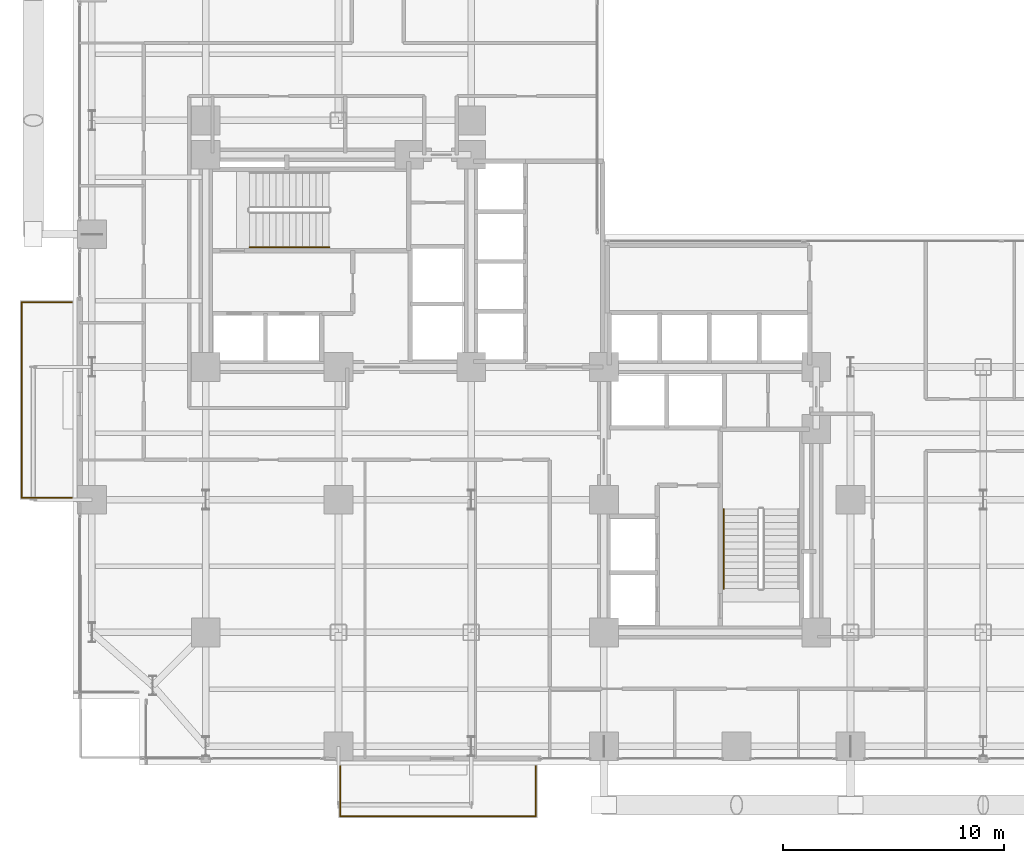
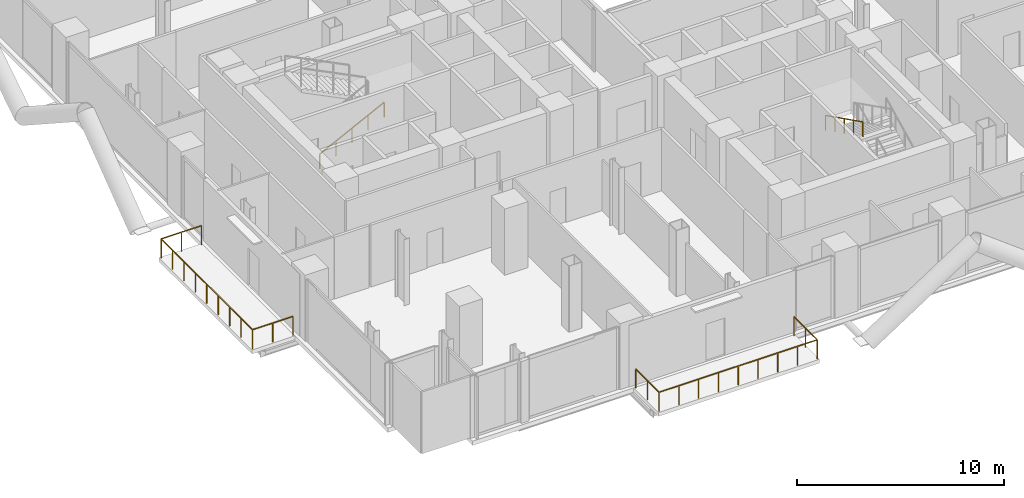
# One storey, part 24 of 25: 4 railings.
"""IFC4 building model written with IfcOpenShell, lengths in metres."""

from ifc_helpers import new_model, si_unit, direction, frame, origin, origin_2d, place, context, subcontext, project, spatial, rectangle, extrude, material, type_object, element, save


model = new_model("IFC4")

# Units and contexts
model_context = context("Model", 3, precision=1e-05, world=origin(), true_north=direction((0.0, 1.0)))
body_context = subcontext(model_context, "Body", "Model", "MODEL_VIEW")
ifc_project = project(units=[si_unit("LENGTHUNIT", "METRE"), si_unit("AREAUNIT", "SQUARE_METRE"), si_unit("VOLUMEUNIT", "CUBIC_METRE"), si_unit("PLANEANGLEUNIT", "RADIAN"), si_unit("MASSUNIT", "GRAM", prefix="KILO"), si_unit("THERMODYNAMICTEMPERATUREUNIT", "KELVIN"), si_unit("POWERUNIT", "WATT")], contexts=[model_context])

# Site, building, storey
site_placement = place(None, origin())
site = spatial("IfcSite", under=ifc_project, at=site_placement, CompositionType="ELEMENT")
building_placement = place(site_placement, origin())
building = spatial("IfcBuilding", under=site, at=building_placement, Name="Svarakhadi Broadcast Tower", CompositionType="ELEMENT")
storey_placement = place(building_placement, frame((0.0, 0.0, 36.300048828125)))
storey = spatial("IfcBuildingStorey", under=building, at=storey_placement, Name="L07", CompositionType="ELEMENT", Elevation=36.300048828125)

# Railings
ifc_material_1 = material(Name="Laminated Structural SentryGlas Balustrade 25.5 mm", Category="glass")
railing_type_1 = type_object("IfcRailingType", Name="Guard_Balcony_GR01", PredefinedType="BALUSTRADE", material=ifc_material_1)
railing_1_placement = place(storey_placement, frame((12.080078125, -0.06005859375, 0.0)))
element("IfcRailing", 1, at=railing_1_placement, inside=storey, type_object=railing_type_1, Name="L07 South Tree Balcony Guard GR-05", PredefinedType="BALUSTRADE", context=body_context, shape_type="SweptSolid", body=[
    extrude(rectangle(XDim=0.048095703125, YDim=0.048095703125, at=origin_2d()), frame((0.0, 0.0, 1.1259765625), z_axis=(0.0, -1.0, 0.0), x_axis=(1.0, 0.0, 0.0)), (0.0, 0.0, 1.0), 2.260009765625),
    extrude(rectangle(XDim=0.048095703125, YDim=0.048095703125, at=origin_2d()), frame((0.0, -2.260009765625, 1.1259765625), z_axis=(1.0, 0.0, 0.0), x_axis=(0.0, 1.0, 0.0)), (0.0, 0.0, 1.0), 8.83984375),
    extrude(rectangle(XDim=0.048095703125, YDim=0.048095703125, at=origin_2d()), frame((8.83984375, -2.260009765625, 1.1259765625), z_axis=(0.0, 1.0, 0.0), x_axis=(-1.0, 0.0, 0.0)), (0.0, 0.0, 1.0), 2.260009765625),
    extrude(rectangle(XDim=0.0419921875, YDim=0.0419921875, at=origin_2d()), origin(), (0.0, 0.0, 1.0), 1.101806640625),
    extrude(rectangle(XDim=0.0419921875, YDim=0.0419921875, at=origin_2d()), frame((0.0, -1.1298828125, 0.0)), (0.0, 0.0, 1.0), 1.101806640625),
    extrude(rectangle(XDim=0.0419921875, YDim=0.0419921875, at=origin_2d()), frame((0.0, -2.260009765625, 0.0)), (0.0, 0.0, 1.0), 1.101806640625),
    extrude(rectangle(XDim=0.0419921875, YDim=0.0419921875, at=origin_2d()), frame((1.10498046875, -2.260009765625, 0.0)), (0.0, 0.0, 1.0), 1.101806640625),
    extrude(rectangle(XDim=0.0419921875, YDim=0.0419921875, at=origin_2d()), frame((2.2099609375, -2.260009765625, 0.0)), (0.0, 0.0, 1.0), 1.101806640625),
    extrude(rectangle(XDim=0.0419921875, YDim=0.0419921875, at=origin_2d()), frame((3.31494140625, -2.260009765625, 0.0)), (0.0, 0.0, 1.0), 1.101806640625),
    extrude(rectangle(XDim=0.0419921875, YDim=0.0419921875, at=origin_2d()), frame((4.419921875, -2.260009765625, 0.0)), (0.0, 0.0, 1.0), 1.101806640625),
    extrude(rectangle(XDim=0.0419921875, YDim=0.0419921875, at=origin_2d()), frame((5.52490234375, -2.260009765625, 0.0)), (0.0, 0.0, 1.0), 1.101806640625),
    extrude(rectangle(XDim=0.0419921875, YDim=0.0419921875, at=origin_2d()), frame((6.6298828125, -2.260009765625, 0.0)), (0.0, 0.0, 1.0), 1.101806640625),
    extrude(rectangle(XDim=0.0419921875, YDim=0.0419921875, at=origin_2d()), frame((7.73486328125, -2.260009765625, 0.0)), (0.0, 0.0, 1.0), 1.101806640625),
    extrude(rectangle(XDim=0.0419921875, YDim=0.0419921875, at=origin_2d()), frame((8.83984375, -2.260009765625, 0.0)), (0.0, 0.0, 1.0), 1.101806640625),
    extrude(rectangle(XDim=0.0419921875, YDim=0.0419921875, at=origin_2d()), frame((8.83984375, -1.1298828125, 0.0)), (0.0, 0.0, 1.0), 1.101806640625),
    extrude(rectangle(XDim=0.0419921875, YDim=0.0419921875, at=origin_2d()), frame((8.83984375, 0.0, 0.0)), (0.0, 0.0, 1.0), 1.101806640625),
])
railing_2_placement = place(storey_placement, frame((-0.06005859375, 12.080078125, 0.0)))
element("IfcRailing", 2, at=railing_2_placement, inside=storey, type_object=railing_type_1, Name="L07 West Tree Balcony Guard GR-05", PredefinedType="BALUSTRADE", context=body_context, shape_type="SweptSolid", body=[
    extrude(rectangle(XDim=0.048095703125, YDim=0.048095703125, at=origin_2d()), frame((0.0, 0.0, 1.1259765625), z_axis=(-1.0, 0.0, 0.0), x_axis=(0.0, -1.0, 0.0)), (0.0, 0.0, 1.0), 2.260009765625),
    extrude(rectangle(XDim=0.048095703125, YDim=0.048095703125, at=origin_2d()), frame((-2.260009765625, 0.0, 1.1259765625), z_axis=(0.0, 1.0, 0.0), x_axis=(-1.0, 0.0, 0.0)), (0.0, 0.0, 1.0), 8.83984375),
    extrude(rectangle(XDim=0.048095703125, YDim=0.048095703125, at=origin_2d()), frame((-2.260009765625, 8.83984375, 1.1259765625), z_axis=(1.0, 0.0, 0.0), x_axis=(0.0, 1.0, 0.0)), (0.0, 0.0, 1.0), 2.260009765625),
    extrude(rectangle(XDim=0.0419921875, YDim=0.0419921875, at=origin_2d()), origin(), (0.0, 0.0, 1.0), 1.101806640625),
    extrude(rectangle(XDim=0.0419921875, YDim=0.0419921875, at=origin_2d()), frame((-1.1298828125, 0.0, 0.0)), (0.0, 0.0, 1.0), 1.101806640625),
    extrude(rectangle(XDim=0.0419921875, YDim=0.0419921875, at=origin_2d()), frame((-2.260009765625, 0.0, 0.0)), (0.0, 0.0, 1.0), 1.101806640625),
    extrude(rectangle(XDim=0.0419921875, YDim=0.0419921875, at=origin_2d()), frame((-2.260009765625, 1.10498046875, 0.0)), (0.0, 0.0, 1.0), 1.101806640625),
    extrude(rectangle(XDim=0.0419921875, YDim=0.0419921875, at=origin_2d()), frame((-2.260009765625, 2.2099609375, 0.0)), (0.0, 0.0, 1.0), 1.101806640625),
    extrude(rectangle(XDim=0.0419921875, YDim=0.0419921875, at=origin_2d()), frame((-2.260009765625, 3.31494140625, 0.0)), (0.0, 0.0, 1.0), 1.101806640625),
    extrude(rectangle(XDim=0.0419921875, YDim=0.0419921875, at=origin_2d()), frame((-2.260009765625, 4.419921875, 0.0)), (0.0, 0.0, 1.0), 1.101806640625),
    extrude(rectangle(XDim=0.0419921875, YDim=0.0419921875, at=origin_2d()), frame((-2.260009765625, 5.52490234375, 0.0)), (0.0, 0.0, 1.0), 1.101806640625),
    extrude(rectangle(XDim=0.0419921875, YDim=0.0419921875, at=origin_2d()), frame((-2.260009765625, 6.6298828125, 0.0)), (0.0, 0.0, 1.0), 1.101806640625),
    extrude(rectangle(XDim=0.0419921875, YDim=0.0419921875, at=origin_2d()), frame((-2.260009765625, 7.73486328125, 0.0)), (0.0, 0.0, 1.0), 1.101806640625),
    extrude(rectangle(XDim=0.0419921875, YDim=0.0419921875, at=origin_2d()), frame((-2.260009765625, 8.83984375, 0.0)), (0.0, 0.0, 1.0), 1.101806640625),
    extrude(rectangle(XDim=0.0419921875, YDim=0.0419921875, at=origin_2d()), frame((-1.1298828125, 8.83984375, 0.0)), (0.0, 0.0, 1.0), 1.101806640625),
    extrude(rectangle(XDim=0.0419921875, YDim=0.0419921875, at=origin_2d()), frame((0.0, 8.83984375, 0.0)), (0.0, 0.0, 1.0), 1.101806640625),
])
ifc_material_2 = material(Name="Anodised Bronze Aluminium AA 6063-T6", Category="aluminium")
railing_type_2 = type_object("IfcRailingType", Name="Handrail_Stair_HR01", PredefinedType="HANDRAIL", material=ifc_material_2)
railing_3_placement = place(storey_placement, frame((7.97998046875, 23.409912109375, 0.14990234375)))
element("IfcRailing", 3, at=railing_3_placement, inside=storey, type_object=railing_type_2, Name="L07 ST-01 stair handrail 1", PredefinedType="HANDRAIL", context=body_context, shape_type="SweptSolid", body=[
    extrude(rectangle(XDim=0.048095703125, YDim=0.048095703125, at=origin_2d()), frame((0.0, 0.0, 0.8759765625), z_axis=(0.894427191, 0.0, 0.4472135955), x_axis=(0.0, 1.0, 0.0)), (0.0, 0.0, 1.0), 4.025146484375),
    extrude(rectangle(XDim=0.0419921875, YDim=0.0419921875, at=origin_2d()), origin(), (0.0, 0.0, 1.0), 0.851806640625),
    extrude(rectangle(XDim=0.0419921875, YDim=0.0419921875, at=origin_2d()), frame((0.89990234375, 0.0, 0.449951171875)), (0.0, 0.0, 1.0), 0.851806640625),
    extrude(rectangle(XDim=0.0419921875, YDim=0.0419921875, at=origin_2d()), frame((1.800048828125, 0.0, 0.89990234375)), (0.0, 0.0, 1.0), 0.851806640625),
    extrude(rectangle(XDim=0.0419921875, YDim=0.0419921875, at=origin_2d()), frame((2.7001953125, 0.0, 1.35009765625)), (0.0, 0.0, 1.0), 0.851806640625),
    extrude(rectangle(XDim=0.0419921875, YDim=0.0419921875, at=origin_2d()), frame((3.60009765625, 0.0, 1.800048828125)), (0.0, 0.0, 1.0), 0.851806640625),
])
railing_4_placement = place(storey_placement, frame((29.409912109375, 11.580078125, 2.099853515625)))
element("IfcRailing", 4, at=railing_4_placement, inside=storey, type_object=railing_type_2, Name="L07 ST-02 stair handrail 2", PredefinedType="HANDRAIL", context=body_context, shape_type="SweptSolid", body=[
    extrude(rectangle(XDim=0.048095703125, YDim=0.048095703125, at=origin_2d()), frame((0.0, 0.0, 0.8759765625), z_axis=(0.0, -0.894427191, 0.4472135955), x_axis=(1.0, 0.0, 0.0)), (0.0, 0.0, 1.0), 4.025146484375),
    extrude(rectangle(XDim=0.0419921875, YDim=0.0419921875, at=origin_2d()), origin(), (0.0, 0.0, 1.0), 0.851806640625),
    extrude(rectangle(XDim=0.0419921875, YDim=0.0419921875, at=origin_2d()), frame((0.0, -0.89990234375, 0.449951171875)), (0.0, 0.0, 1.0), 0.851806640625),
    extrude(rectangle(XDim=0.0419921875, YDim=0.0419921875, at=origin_2d()), frame((0.0, -1.800048828125, 0.89990234375)), (0.0, 0.0, 1.0), 0.851806640625),
    extrude(rectangle(XDim=0.0419921875, YDim=0.0419921875, at=origin_2d()), frame((0.0, -2.7001953125, 1.35009765625)), (0.0, 0.0, 1.0), 0.851806640625),
    extrude(rectangle(XDim=0.0419921875, YDim=0.0419921875, at=origin_2d()), frame((0.0, -3.60009765625, 1.800048828125)), (0.0, 0.0, 1.0), 0.851806640625),
])

save(model, "model.ifc")
